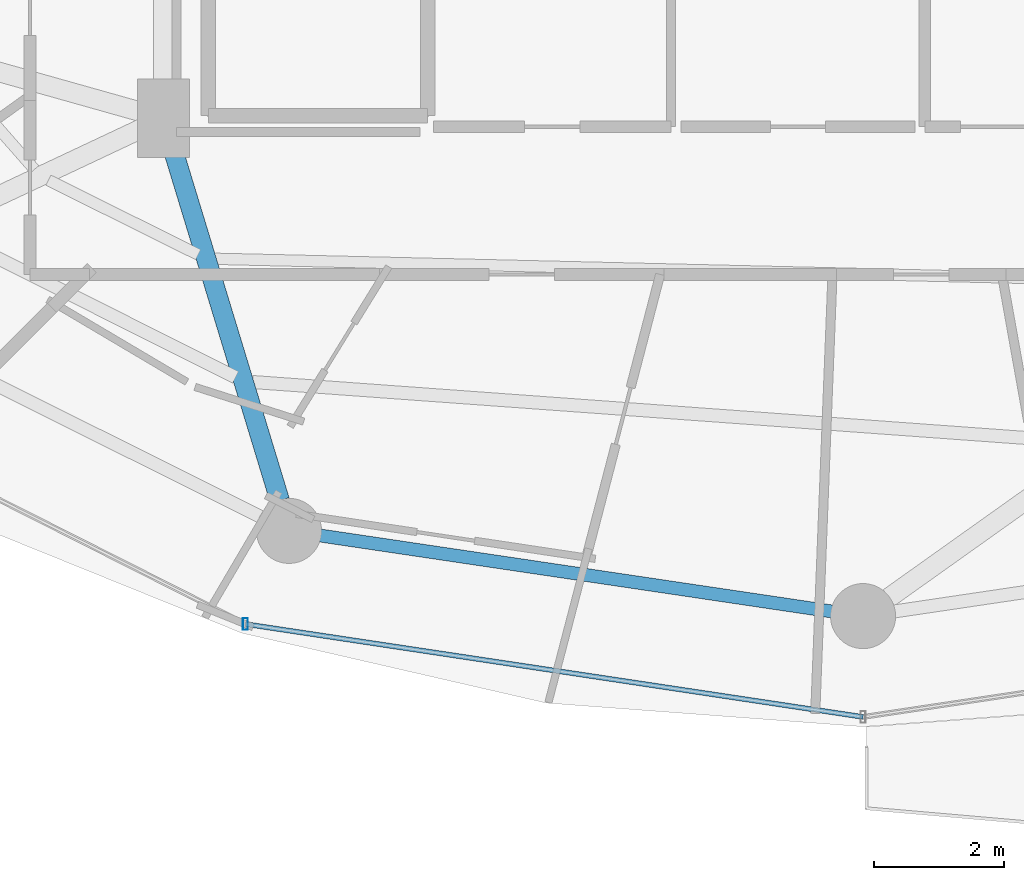
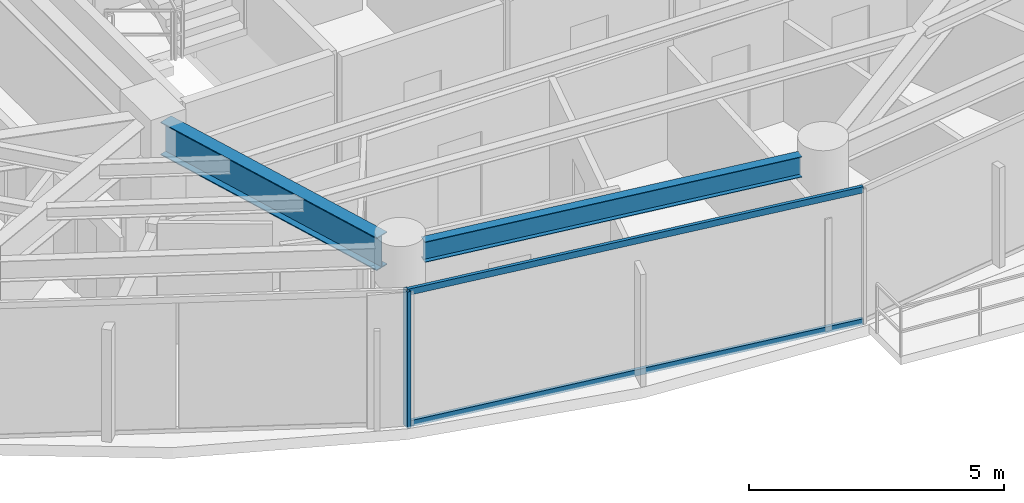
# One storey, part 5 of 29: 3 members, 2 beams, 1 element without a shape of its own.
"""IFC4 building model written with IfcOpenShell, lengths in metres."""

from ifc_helpers import new_model, si_unit, direction, frame, origin, origin_2d, place, context, subcontext, project, spatial, hollow_rectangle, i_section, extrude, material, material_profile, profile_set, type_object, element, aggregate, save


model = new_model("IFC4")

# Units and contexts
model_context = context("Model", 3, precision=1e-05, world=origin(), true_north=direction((0.0, 1.0)))
body_context = subcontext(model_context, "Body", "Model", "MODEL_VIEW")
ifc_project = project(units=[si_unit("LENGTHUNIT", "METRE"), si_unit("AREAUNIT", "SQUARE_METRE"), si_unit("VOLUMEUNIT", "CUBIC_METRE"), si_unit("PLANEANGLEUNIT", "RADIAN"), si_unit("MASSUNIT", "GRAM", prefix="KILO")], contexts=[model_context])

# Site, building, storey
site_placement = place(None, origin())
site = spatial("IfcSite", under=ifc_project, at=site_placement, CompositionType="ELEMENT")
building_placement = place(site_placement, origin())
building = spatial("IfcBuilding", under=site, at=building_placement, Name="Vorneva Point Tower", CompositionType="ELEMENT")
storey_placement = place(building_placement, frame((0.0, 0.0, 171.10009765625)))
storey = spatial("IfcBuildingStorey", under=building, at=storey_placement, Name="L46", CompositionType="ELEMENT", Elevation=171.10009765625)

# Beams
ifc_material_1 = material(Name="Steel S355", Category="steel")
ifc_material_profile_1 = material_profile(ifc_material_1, i_section(OverallWidth=0.300048828125, OverallDepth=0.7880859375, WebThickness=0.014404296875, FlangeThickness=0.02197265625, at=origin_2d()), Name="80Sh1")
ifc_profile_set_1 = profile_set([ifc_material_profile_1], Name="Steel S355")
beam_type_1 = type_object("IfcBeamType", Name="BM-GRD-80Sh1", PredefinedType="USERDEFINED", material=ifc_profile_set_1)
beam_1_placement = place(storey_placement, frame((29.037109375, 10.576171875, 2.805908203125), z_axis=(-0.291049382966, 0.95670803105, 0.0), x_axis=(-0.95670803105, -0.291049382966, 0.0)))
element("IfcBeam", 1, at=beam_1_placement, inside=storey, type_object=beam_type_1, Name="L46 Radial Primary Girder 12", ObjectType="GIRDER", PredefinedType="USERDEFINED", context=body_context, shape_type="SweptSolid", body=[
    extrude(i_section(OverallWidth=0.300048828125, OverallDepth=0.7880859375, WebThickness=0.014404296875, FlangeThickness=0.02197265625, at=origin_2d()), origin(), (0.0, 0.0, 1.0), 5.799560546875),
])
ifc_material_profile_2 = material_profile(ifc_material_1, i_section(OverallWidth=0.199951171875, OverallDepth=0.491943359375, WebThickness=0.0087890625, FlangeThickness=0.011962890625, at=origin_2d()), Name="50B1")
ifc_profile_set_2 = profile_set([ifc_material_profile_2], Name="Steel S355")
beam_type_2 = type_object("IfcBeamType", Name="BM-SPN-50B1", PredefinedType="SPANDREL", material=ifc_profile_set_2)
beam_2_placement = place(storey_placement, frame((29.65869140625, 10.0380859375, 2.953857421875), z_axis=(0.989161199046, -0.146833655211, 0.0), x_axis=(0.146833655211, 0.989161199046, 0.0)))
element("IfcBeam", 2, at=beam_2_placement, inside=storey, type_object=beam_type_2, Name="L46 Perimeter Spandrel Ring Beam 12", PredefinedType="SPANDREL", context=body_context, shape_type="SweptSolid", body=[
    extrude(i_section(OverallWidth=0.199951171875, OverallDepth=0.491943359375, WebThickness=0.0087890625, FlangeThickness=0.011962890625, at=origin_2d()), origin(), (0.0, 0.0, 1.0), 7.94775390625),
])

# Curtain wall, members
ifc_material_2 = material(Name="Pale anodised aluminium", Category="aluminium")
curtain_wall_type = type_object("IfcCurtainWallType", Name="CW-RES-SYS", PredefinedType="NOTDEFINED", material=ifc_material_2)
curtain_wall_placement = place(storey_placement, origin())
curtain_wall = element("IfcCurtainWall", 3, at=curtain_wall_placement, inside=storey, type_object=curtain_wall_type, Name="L46 Unitised Curtain Wall CW-L46-R04", PredefinedType="NOTDEFINED")
ifc_material_profile_3 = material_profile(ifc_material_2, hollow_rectangle(XDim=0.074951171875, YDim=0.179931640625, WallThickness=0.00390625, at=origin_2d()), Name="AL-MUL 180x75x4")
ifc_profile_set_3 = profile_set([ifc_material_profile_3], Name="Pale anodised aluminium")
member_type_1 = type_object("IfcMemberType", Name="CW-MUL-180", PredefinedType="MULLION", material=ifc_profile_set_3)
member_1_placement = place(storey_placement, frame((28.509521484375, 8.67724609375, -0.0400390625), z_axis=(0.0, 0.0, 1.0), x_axis=(1.0, 0.0, 0.0)))
member_1 = element("IfcMember", 4, at=member_1_placement, type_object=member_type_1, Name="CW-L46-R04 Mullion 02", PredefinedType="MULLION", context=body_context, shape_type="SweptSolid", body=[
    extrude(hollow_rectangle(XDim=0.074951171875, YDim=0.179931640625, WallThickness=0.00390625, at=origin_2d()), origin(), (0.0, 0.0, 1.0), 3.27001953125),
])
ifc_material_profile_4 = material_profile(ifc_material_2, hollow_rectangle(XDim=0.074951171875, YDim=0.14990234375, WallThickness=0.00390625, at=origin_2d()), Name="AL-TRN 150x75x4")
ifc_profile_set_4 = profile_set([ifc_material_profile_4], Name="Pale anodised aluminium")
member_type_2 = type_object("IfcMemberType", Name="CW-TRN-150", PredefinedType="USERDEFINED", material=ifc_profile_set_4)
member_2_placement = place(storey_placement, frame((28.509521484375, 8.67724609375, 0.02001953125), z_axis=(0.988880117727, -0.148714870687, 0.0), x_axis=(0.148714870687, 0.988880117727, 0.0)))
member_2 = element("IfcMember", 5, at=member_2_placement, type_object=member_type_2, Name="CW-L46-R04 Transom 02.1", ObjectType="TRANSOM", PredefinedType="USERDEFINED", context=body_context, shape_type="SweptSolid", body=[
    extrude(hollow_rectangle(XDim=0.074951171875, YDim=0.14990234375, WallThickness=0.00390625, at=origin_2d()), origin(), (0.0, 0.0, 1.0), 9.59716796875),
])
member_3_placement = place(storey_placement, frame((28.509521484375, 8.67724609375, 3.179931640625), z_axis=(0.988880117727, -0.148714870687, 0.0), x_axis=(0.148714870687, 0.988880117727, 0.0)))
member_3 = element("IfcMember", 6, at=member_3_placement, type_object=member_type_2, Name="CW-L46-R04 Transom 02.2", ObjectType="TRANSOM", PredefinedType="USERDEFINED", context=body_context, shape_type="SweptSolid", body=[
    extrude(hollow_rectangle(XDim=0.074951171875, YDim=0.14990234375, WallThickness=0.00390625, at=origin_2d()), origin(), (0.0, 0.0, 1.0), 9.59716796875),
])
aggregate(curtain_wall, [member_1, member_2, member_3])

save(model, "model.ifc")
